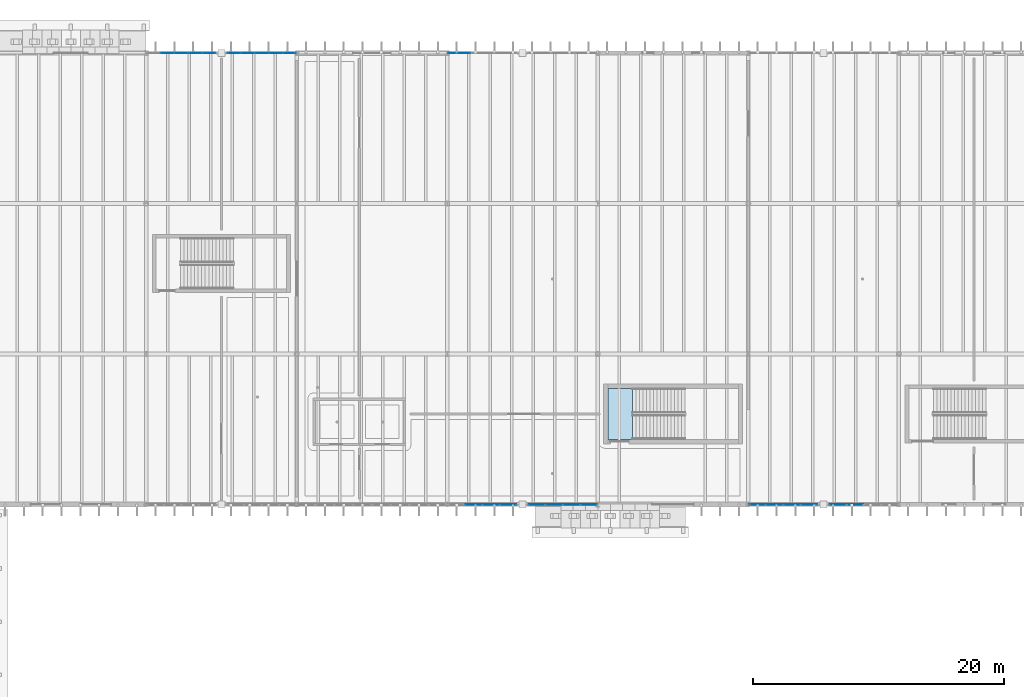
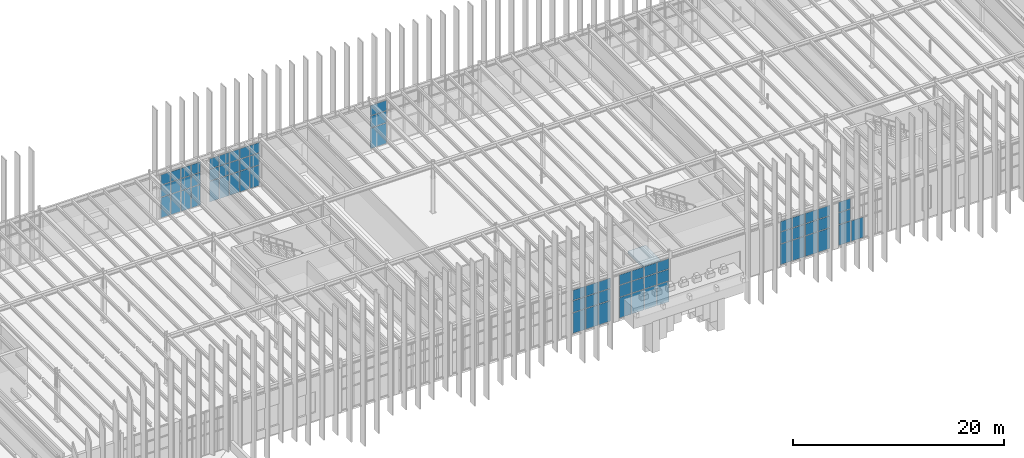
# One storey, part 39 of 83: 67 plates, 1 slab, 7 elements without a shape of their own.
"""IFC4 building model written with IfcOpenShell, lengths in metres."""

from ifc_helpers import new_model, si_unit, direction, frame, origin, origin_2d, place, context, subcontext, project, spatial, polyline, rectangle, outline, extrude, material, layer, layer_set, type_object, element, aggregate, save


model = new_model("IFC4")

# Units and contexts
model_context = context("Model", 3, precision=1e-05, world=origin(), true_north=direction((0.0, 1.0)))
body_context = subcontext(model_context, "Body", "Model", "MODEL_VIEW")
ifc_project = project(units=[si_unit("LENGTHUNIT", "METRE"), si_unit("AREAUNIT", "SQUARE_METRE"), si_unit("VOLUMEUNIT", "CUBIC_METRE"), si_unit("PLANEANGLEUNIT", "RADIAN"), si_unit("MASSUNIT", "GRAM", prefix="KILO")], contexts=[model_context])

# Site, building, storey
site_placement = place(None, origin())
site = spatial("IfcSite", under=ifc_project, at=site_placement, CompositionType="ELEMENT")
building_placement = place(site_placement, origin())
building = spatial("IfcBuilding", under=site, at=building_placement, Name="Zlatogorsky Bluff Art Gallery", CompositionType="ELEMENT")
storey_placement = place(building_placement, frame((0.0, 0.0, 10.800048828125)))
storey = spatial("IfcBuildingStorey", under=building, at=storey_placement, Name="L02", CompositionType="ELEMENT", Elevation=10.800048828125)

# Curtain wall, plates
ifc_material_1 = material(Name="Anodised Bronze Aluminium and Low-Iron Triple Glazing", Category="aluminium")
ifc_layer_1 = layer(ifc_material_1, 0.179931640625)
ifc_layer_set_1 = layer_set([ifc_layer_1], Name="Curtain Wall CW-03")
curtain_wall_type_1 = type_object("IfcCurtainWallType", Name="Curtain Wall CW-03", PredefinedType="USERDEFINED", material=ifc_layer_set_1)
curtain_wall_1_placement = place(storey_placement, origin())
curtain_wall_1 = element("IfcCurtainWall", 1, at=curtain_wall_1_placement, inside=storey, type_object=curtain_wall_type_1, Name="Unitised curtain wall CW-03 L02 N 3.10-A", ObjectType="CURTAIN WALL", PredefinedType="USERDEFINED")
ifc_material_2 = material(Name="Low-Iron Laminated Triple Glazing", Category="glass")
ifc_layer_2 = layer(ifc_material_2, 0.035888671875)
ifc_layer_set_2 = layer_set([ifc_layer_2], Name="Glazed Curtain Panel CWP-01")
plate_type = type_object("IfcPlateType", Name="Glazed Curtain Panel CWP-01", PredefinedType="CURTAIN_PANEL", material=ifc_layer_set_2)
plate_1_placement = place(storey_placement, frame((47.42578125, 120.0, 0.06494140625), z_axis=(0.0, 0.0, 1.0), x_axis=(-1.0, 0.0, 0.0)))
plate_1 = element("IfcPlate", 2, at=plate_1_placement, type_object=plate_type, Name="CW-03 panel 1.1", PredefinedType="CURTAIN_PANEL", context=body_context, shape_type="SweptSolid", body=[
    extrude(rectangle(XDim=1.0185546875, YDim=0.035888671875, at=origin_2d()), origin(), (0.0, 0.0, 1.0), 2.3525390625),
])
plate_2_placement = place(storey_placement, frame((47.42578125, 120.0, 2.482421875), z_axis=(0.0, 0.0, 1.0), x_axis=(-1.0, 0.0, 0.0)))
plate_2 = element("IfcPlate", 3, at=plate_2_placement, type_object=plate_type, Name="CW-03 panel 1.2", PredefinedType="CURTAIN_PANEL", context=body_context, shape_type="SweptSolid", body=[
    extrude(rectangle(XDim=1.0185546875, YDim=0.035888671875, at=origin_2d()), origin(), (0.0, 0.0, 1.0), 1.3349609375),
])
plate_3_placement = place(storey_placement, frame((47.42578125, 120.0, 3.88232421875), z_axis=(0.0, 0.0, 1.0), x_axis=(-1.0, 0.0, 0.0)))
plate_3 = element("IfcPlate", 4, at=plate_3_placement, type_object=plate_type, Name="CW-03 panel 1.3", PredefinedType="CURTAIN_PANEL", context=body_context, shape_type="SweptSolid", body=[
    extrude(rectangle(XDim=1.0185546875, YDim=0.035888671875, at=origin_2d()), origin(), (0.0, 0.0, 1.0), 1.16259765625),
])
plate_4_placement = place(storey_placement, frame((46.325927734375, 120.0, 0.06494140625), z_axis=(0.0, 0.0, 1.0), x_axis=(-1.0, 0.0, 0.0)))
plate_4 = element("IfcPlate", 5, at=plate_4_placement, type_object=plate_type, Name="CW-03 panel 2.1", PredefinedType="CURTAIN_PANEL", context=body_context, shape_type="SweptSolid", body=[
    extrude(rectangle(XDim=1.051025390625, YDim=0.035888671875, at=origin_2d()), origin(), (0.0, 0.0, 1.0), 2.3525390625),
])
plate_5_placement = place(storey_placement, frame((46.325927734375, 120.0, 2.482421875), z_axis=(0.0, 0.0, 1.0), x_axis=(-1.0, 0.0, 0.0)))
plate_5 = element("IfcPlate", 6, at=plate_5_placement, type_object=plate_type, Name="CW-03 panel 2.2", PredefinedType="CURTAIN_PANEL", context=body_context, shape_type="SweptSolid", body=[
    extrude(rectangle(XDim=1.051025390625, YDim=0.035888671875, at=origin_2d()), origin(), (0.0, 0.0, 1.0), 1.3349609375),
])
plate_6_placement = place(storey_placement, frame((46.325927734375, 120.0, 3.88232421875), z_axis=(0.0, 0.0, 1.0), x_axis=(-1.0, 0.0, 0.0)))
plate_6 = element("IfcPlate", 7, at=plate_6_placement, type_object=plate_type, Name="CW-03 panel 2.3", PredefinedType="CURTAIN_PANEL", context=body_context, shape_type="SweptSolid", body=[
    extrude(rectangle(XDim=1.051025390625, YDim=0.035888671875, at=origin_2d()), origin(), (0.0, 0.0, 1.0), 1.16259765625),
])
plate_7_placement = place(storey_placement, frame((45.2099609375, 120.0, 0.06494140625), z_axis=(0.0, 0.0, 1.0), x_axis=(-1.0, 0.0, 0.0)))
plate_7 = element("IfcPlate", 8, at=plate_7_placement, type_object=plate_type, Name="CW-03 panel 3.1", PredefinedType="CURTAIN_PANEL", context=body_context, shape_type="SweptSolid", body=[
    extrude(rectangle(XDim=1.051025390625, YDim=0.035888671875, at=origin_2d()), origin(), (0.0, 0.0, 1.0), 2.3525390625),
])
plate_8_placement = place(storey_placement, frame((45.2099609375, 120.0, 2.482421875), z_axis=(0.0, 0.0, 1.0), x_axis=(-1.0, 0.0, 0.0)))
plate_8 = element("IfcPlate", 9, at=plate_8_placement, type_object=plate_type, Name="CW-03 panel 3.2", PredefinedType="CURTAIN_PANEL", context=body_context, shape_type="SweptSolid", body=[
    extrude(rectangle(XDim=1.051025390625, YDim=0.035888671875, at=origin_2d()), origin(), (0.0, 0.0, 1.0), 1.3349609375),
])
plate_9_placement = place(storey_placement, frame((45.2099609375, 120.0, 3.88232421875), z_axis=(0.0, 0.0, 1.0), x_axis=(-1.0, 0.0, 0.0)))
plate_9 = element("IfcPlate", 10, at=plate_9_placement, type_object=plate_type, Name="CW-03 panel 3.3", PredefinedType="CURTAIN_PANEL", context=body_context, shape_type="SweptSolid", body=[
    extrude(rectangle(XDim=1.051025390625, YDim=0.035888671875, at=origin_2d()), origin(), (0.0, 0.0, 1.0), 1.16259765625),
])
plate_10_placement = place(storey_placement, frame((44.093994140625, 120.0, 0.06494140625), z_axis=(0.0, 0.0, 1.0), x_axis=(-1.0, 0.0, 0.0)))
plate_10 = element("IfcPlate", 11, at=plate_10_placement, type_object=plate_type, Name="CW-03 panel 4.1", PredefinedType="CURTAIN_PANEL", context=body_context, shape_type="SweptSolid", body=[
    extrude(rectangle(XDim=1.051025390625, YDim=0.035888671875, at=origin_2d()), origin(), (0.0, 0.0, 1.0), 2.3525390625),
])
plate_11_placement = place(storey_placement, frame((44.093994140625, 120.0, 2.482421875), z_axis=(0.0, 0.0, 1.0), x_axis=(-1.0, 0.0, 0.0)))
plate_11 = element("IfcPlate", 12, at=plate_11_placement, type_object=plate_type, Name="CW-03 panel 4.2", PredefinedType="CURTAIN_PANEL", context=body_context, shape_type="SweptSolid", body=[
    extrude(rectangle(XDim=1.051025390625, YDim=0.035888671875, at=origin_2d()), origin(), (0.0, 0.0, 1.0), 1.3349609375),
])
plate_12_placement = place(storey_placement, frame((44.093994140625, 120.0, 3.88232421875), z_axis=(0.0, 0.0, 1.0), x_axis=(-1.0, 0.0, 0.0)))
plate_12 = element("IfcPlate", 13, at=plate_12_placement, type_object=plate_type, Name="CW-03 panel 4.3", PredefinedType="CURTAIN_PANEL", context=body_context, shape_type="SweptSolid", body=[
    extrude(rectangle(XDim=1.051025390625, YDim=0.035888671875, at=origin_2d()), origin(), (0.0, 0.0, 1.0), 1.16259765625),
])
plate_13_placement = place(storey_placement, frame((42.994140625, 120.0, 0.06494140625), z_axis=(0.0, 0.0, 1.0), x_axis=(-1.0, 0.0, 0.0)))
plate_13 = element("IfcPlate", 14, at=plate_13_placement, type_object=plate_type, Name="CW-03 panel 5.1", PredefinedType="CURTAIN_PANEL", context=body_context, shape_type="SweptSolid", body=[
    extrude(rectangle(XDim=1.0185546875, YDim=0.035888671875, at=origin_2d()), origin(), (0.0, 0.0, 1.0), 2.3525390625),
])
plate_14_placement = place(storey_placement, frame((42.994140625, 120.0, 2.482421875), z_axis=(0.0, 0.0, 1.0), x_axis=(-1.0, 0.0, 0.0)))
plate_14 = element("IfcPlate", 15, at=plate_14_placement, type_object=plate_type, Name="CW-03 panel 5.2", PredefinedType="CURTAIN_PANEL", context=body_context, shape_type="SweptSolid", body=[
    extrude(rectangle(XDim=1.0185546875, YDim=0.035888671875, at=origin_2d()), origin(), (0.0, 0.0, 1.0), 1.3349609375),
])
plate_15_placement = place(storey_placement, frame((42.994140625, 120.0, 3.88232421875), z_axis=(0.0, 0.0, 1.0), x_axis=(-1.0, 0.0, 0.0)))
plate_15 = element("IfcPlate", 16, at=plate_15_placement, type_object=plate_type, Name="CW-03 panel 5.3", PredefinedType="CURTAIN_PANEL", context=body_context, shape_type="SweptSolid", body=[
    extrude(rectangle(XDim=1.0185546875, YDim=0.035888671875, at=origin_2d()), origin(), (0.0, 0.0, 1.0), 1.16259765625),
])
aggregate(curtain_wall_1, [plate_1, plate_2, plate_3, plate_4, plate_5, plate_6, plate_7, plate_8, plate_9, plate_10, plate_11, plate_12, plate_13, plate_14, plate_15])

curtain_wall_2_placement = place(storey_placement, origin())
curtain_wall_2 = element("IfcCurtainWall", 17, at=curtain_wall_2_placement, inside=storey, type_object=curtain_wall_type_1, Name="Unitised curtain wall CW-03 L02 N 3.10-B", ObjectType="CURTAIN WALL", PredefinedType="USERDEFINED")
plate_16_placement = place(storey_placement, frame((41.005859375, 120.0, 0.06494140625), z_axis=(0.0, 0.0, 1.0), x_axis=(-1.0, 0.0, 0.0)))
plate_16 = element("IfcPlate", 18, at=plate_16_placement, type_object=plate_type, Name="CW-03 panel 1.1", PredefinedType="CURTAIN_PANEL", context=body_context, shape_type="SweptSolid", body=[
    extrude(rectangle(XDim=1.0185546875, YDim=0.035888671875, at=origin_2d()), origin(), (0.0, 0.0, 1.0), 2.3525390625),
])
plate_17_placement = place(storey_placement, frame((41.005859375, 120.0, 2.482421875), z_axis=(0.0, 0.0, 1.0), x_axis=(-1.0, 0.0, 0.0)))
plate_17 = element("IfcPlate", 19, at=plate_17_placement, type_object=plate_type, Name="CW-03 panel 1.2", PredefinedType="CURTAIN_PANEL", context=body_context, shape_type="SweptSolid", body=[
    extrude(rectangle(XDim=1.0185546875, YDim=0.035888671875, at=origin_2d()), origin(), (0.0, 0.0, 1.0), 1.3349609375),
])
plate_18_placement = place(storey_placement, frame((41.005859375, 120.0, 3.88232421875), z_axis=(0.0, 0.0, 1.0), x_axis=(-1.0, 0.0, 0.0)))
plate_18 = element("IfcPlate", 20, at=plate_18_placement, type_object=plate_type, Name="CW-03 panel 1.3", PredefinedType="CURTAIN_PANEL", context=body_context, shape_type="SweptSolid", body=[
    extrude(rectangle(XDim=1.0185546875, YDim=0.035888671875, at=origin_2d()), origin(), (0.0, 0.0, 1.0), 1.16259765625),
])
plate_19_placement = place(storey_placement, frame((39.906005859375, 120.0, 0.06494140625), z_axis=(0.0, 0.0, 1.0), x_axis=(-1.0, 0.0, 0.0)))
plate_19 = element("IfcPlate", 21, at=plate_19_placement, type_object=plate_type, Name="CW-03 panel 2.1", PredefinedType="CURTAIN_PANEL", context=body_context, shape_type="SweptSolid", body=[
    extrude(rectangle(XDim=1.051025390625, YDim=0.035888671875, at=origin_2d()), origin(), (0.0, 0.0, 1.0), 2.3525390625),
])
plate_20_placement = place(storey_placement, frame((39.906005859375, 120.0, 2.482421875), z_axis=(0.0, 0.0, 1.0), x_axis=(-1.0, 0.0, 0.0)))
plate_20 = element("IfcPlate", 22, at=plate_20_placement, type_object=plate_type, Name="CW-03 panel 2.2", PredefinedType="CURTAIN_PANEL", context=body_context, shape_type="SweptSolid", body=[
    extrude(rectangle(XDim=1.051025390625, YDim=0.035888671875, at=origin_2d()), origin(), (0.0, 0.0, 1.0), 1.3349609375),
])
plate_21_placement = place(storey_placement, frame((39.906005859375, 120.0, 3.88232421875), z_axis=(0.0, 0.0, 1.0), x_axis=(-1.0, 0.0, 0.0)))
plate_21 = element("IfcPlate", 23, at=plate_21_placement, type_object=plate_type, Name="CW-03 panel 2.3", PredefinedType="CURTAIN_PANEL", context=body_context, shape_type="SweptSolid", body=[
    extrude(rectangle(XDim=1.051025390625, YDim=0.035888671875, at=origin_2d()), origin(), (0.0, 0.0, 1.0), 1.16259765625),
])
plate_22_placement = place(storey_placement, frame((38.7900390625, 120.0, 0.06494140625), z_axis=(0.0, 0.0, 1.0), x_axis=(-1.0, 0.0, 0.0)))
plate_22 = element("IfcPlate", 24, at=plate_22_placement, type_object=plate_type, Name="CW-03 panel 3.1", PredefinedType="CURTAIN_PANEL", context=body_context, shape_type="SweptSolid", body=[
    extrude(rectangle(XDim=1.051025390625, YDim=0.035888671875, at=origin_2d()), origin(), (0.0, 0.0, 1.0), 2.3525390625),
])
plate_23_placement = place(storey_placement, frame((38.7900390625, 120.0, 2.482421875), z_axis=(0.0, 0.0, 1.0), x_axis=(-1.0, 0.0, 0.0)))
plate_23 = element("IfcPlate", 25, at=plate_23_placement, type_object=plate_type, Name="CW-03 panel 3.2", PredefinedType="CURTAIN_PANEL", context=body_context, shape_type="SweptSolid", body=[
    extrude(rectangle(XDim=1.051025390625, YDim=0.035888671875, at=origin_2d()), origin(), (0.0, 0.0, 1.0), 1.3349609375),
])
plate_24_placement = place(storey_placement, frame((38.7900390625, 120.0, 3.88232421875), z_axis=(0.0, 0.0, 1.0), x_axis=(-1.0, 0.0, 0.0)))
plate_24 = element("IfcPlate", 26, at=plate_24_placement, type_object=plate_type, Name="CW-03 panel 3.3", PredefinedType="CURTAIN_PANEL", context=body_context, shape_type="SweptSolid", body=[
    extrude(rectangle(XDim=1.051025390625, YDim=0.035888671875, at=origin_2d()), origin(), (0.0, 0.0, 1.0), 1.16259765625),
])
plate_25_placement = place(storey_placement, frame((37.674072265625, 120.0, 0.06494140625), z_axis=(0.0, 0.0, 1.0), x_axis=(-1.0, 0.0, 0.0)))
plate_25 = element("IfcPlate", 27, at=plate_25_placement, type_object=plate_type, Name="CW-03 panel 4.1", PredefinedType="CURTAIN_PANEL", context=body_context, shape_type="SweptSolid", body=[
    extrude(rectangle(XDim=1.051025390625, YDim=0.035888671875, at=origin_2d()), origin(), (0.0, 0.0, 1.0), 2.3525390625),
])
plate_26_placement = place(storey_placement, frame((37.674072265625, 120.0, 2.482421875), z_axis=(0.0, 0.0, 1.0), x_axis=(-1.0, 0.0, 0.0)))
plate_26 = element("IfcPlate", 28, at=plate_26_placement, type_object=plate_type, Name="CW-03 panel 4.2", PredefinedType="CURTAIN_PANEL", context=body_context, shape_type="SweptSolid", body=[
    extrude(rectangle(XDim=1.051025390625, YDim=0.035888671875, at=origin_2d()), origin(), (0.0, 0.0, 1.0), 1.3349609375),
])
plate_27_placement = place(storey_placement, frame((37.674072265625, 120.0, 3.88232421875), z_axis=(0.0, 0.0, 1.0), x_axis=(-1.0, 0.0, 0.0)))
plate_27 = element("IfcPlate", 29, at=plate_27_placement, type_object=plate_type, Name="CW-03 panel 4.3", PredefinedType="CURTAIN_PANEL", context=body_context, shape_type="SweptSolid", body=[
    extrude(rectangle(XDim=1.051025390625, YDim=0.035888671875, at=origin_2d()), origin(), (0.0, 0.0, 1.0), 1.16259765625),
])
aggregate(curtain_wall_2, [plate_16, plate_17, plate_18, plate_19, plate_20, plate_21, plate_22, plate_23, plate_24, plate_25, plate_26, plate_27])

ifc_layer_3 = layer(ifc_material_1, 0.199951171875)
ifc_layer_set_3 = layer_set([ifc_layer_3], Name="Curtain Wall CW-02")
curtain_wall_type_2 = type_object("IfcCurtainWallType", Name="Curtain Wall CW-02", PredefinedType="USERDEFINED", material=ifc_layer_set_3)
curtain_wall_3_placement = place(storey_placement, origin())
curtain_wall_3 = element("IfcCurtainWall", 30, at=curtain_wall_3_placement, inside=storey, type_object=curtain_wall_type_2, Name="Unitised curtain wall CW-02 L02 S 5.8-A", ObjectType="CURTAIN WALL", PredefinedType="USERDEFINED")
plate_28_placement = place(storey_placement, frame((62.092529296875, 84.0, 0.06494140625), z_axis=(0.0, 0.0, 1.0), x_axis=(1.0, 0.0, 0.0)))
plate_28 = element("IfcPlate", 31, at=plate_28_placement, type_object=plate_type, Name="CW-02 panel 2.1", PredefinedType="CURTAIN_PANEL", context=body_context, shape_type="SweptSolid", body=[
    extrude(rectangle(XDim=1.330078125, YDim=0.035888671875, at=origin_2d()), origin(), (0.0, 0.0, 1.0), 2.3525390625),
])
plate_29_placement = place(storey_placement, frame((62.092529296875, 84.0, 2.482421875), z_axis=(0.0, 0.0, 1.0), x_axis=(1.0, 0.0, 0.0)))
plate_29 = element("IfcPlate", 32, at=plate_29_placement, type_object=plate_type, Name="CW-02 panel 2.2", PredefinedType="CURTAIN_PANEL", context=body_context, shape_type="SweptSolid", body=[
    extrude(rectangle(XDim=1.330078125, YDim=0.035888671875, at=origin_2d()), origin(), (0.0, 0.0, 1.0), 1.3349609375),
])
plate_30_placement = place(storey_placement, frame((62.092529296875, 84.0, 3.88232421875), z_axis=(0.0, 0.0, 1.0), x_axis=(1.0, 0.0, 0.0)))
plate_30 = element("IfcPlate", 33, at=plate_30_placement, type_object=plate_type, Name="CW-02 panel 2.3", PredefinedType="CURTAIN_PANEL", context=body_context, shape_type="SweptSolid", body=[
    extrude(rectangle(XDim=1.330078125, YDim=0.035888671875, at=origin_2d()), origin(), (0.0, 0.0, 1.0), 1.16259765625),
])
plate_31_placement = place(storey_placement, frame((63.487548828125, 84.0, 0.06494140625), z_axis=(0.0, 0.0, 1.0), x_axis=(1.0, 0.0, 0.0)))
plate_31 = element("IfcPlate", 34, at=plate_31_placement, type_object=plate_type, Name="CW-02 panel 3.1", PredefinedType="CURTAIN_PANEL", context=body_context, shape_type="SweptSolid", body=[
    extrude(rectangle(XDim=1.330078125, YDim=0.035888671875, at=origin_2d()), origin(), (0.0, 0.0, 1.0), 2.3525390625),
])
plate_32_placement = place(storey_placement, frame((63.487548828125, 84.0, 2.482421875), z_axis=(0.0, 0.0, 1.0), x_axis=(1.0, 0.0, 0.0)))
plate_32 = element("IfcPlate", 35, at=plate_32_placement, type_object=plate_type, Name="CW-02 panel 3.2", PredefinedType="CURTAIN_PANEL", context=body_context, shape_type="SweptSolid", body=[
    extrude(rectangle(XDim=1.330078125, YDim=0.035888671875, at=origin_2d()), origin(), (0.0, 0.0, 1.0), 1.3349609375),
])
plate_33_placement = place(storey_placement, frame((63.487548828125, 84.0, 3.88232421875), z_axis=(0.0, 0.0, 1.0), x_axis=(1.0, 0.0, 0.0)))
plate_33 = element("IfcPlate", 36, at=plate_33_placement, type_object=plate_type, Name="CW-02 panel 3.3", PredefinedType="CURTAIN_PANEL", context=body_context, shape_type="SweptSolid", body=[
    extrude(rectangle(XDim=1.330078125, YDim=0.035888671875, at=origin_2d()), origin(), (0.0, 0.0, 1.0), 1.16259765625),
])
plate_34_placement = place(storey_placement, frame((64.8662109375, 84.0, 0.06494140625), z_axis=(0.0, 0.0, 1.0), x_axis=(1.0, 0.0, 0.0)))
plate_34 = element("IfcPlate", 37, at=plate_34_placement, type_object=plate_type, Name="CW-02 panel 4.1", PredefinedType="CURTAIN_PANEL", context=body_context, shape_type="SweptSolid", body=[
    extrude(rectangle(XDim=1.297607421875, YDim=0.035888671875, at=origin_2d()), origin(), (0.0, 0.0, 1.0), 2.3525390625),
])
plate_35_placement = place(storey_placement, frame((64.8662109375, 84.0, 2.482421875), z_axis=(0.0, 0.0, 1.0), x_axis=(1.0, 0.0, 0.0)))
plate_35 = element("IfcPlate", 38, at=plate_35_placement, type_object=plate_type, Name="CW-02 panel 4.2", PredefinedType="CURTAIN_PANEL", context=body_context, shape_type="SweptSolid", body=[
    extrude(rectangle(XDim=1.297607421875, YDim=0.035888671875, at=origin_2d()), origin(), (0.0, 0.0, 1.0), 1.3349609375),
])
plate_36_placement = place(storey_placement, frame((64.8662109375, 84.0, 3.88232421875), z_axis=(0.0, 0.0, 1.0), x_axis=(1.0, 0.0, 0.0)))
plate_36 = element("IfcPlate", 39, at=plate_36_placement, type_object=plate_type, Name="CW-02 panel 4.3", PredefinedType="CURTAIN_PANEL", context=body_context, shape_type="SweptSolid", body=[
    extrude(rectangle(XDim=1.297607421875, YDim=0.035888671875, at=origin_2d()), origin(), (0.0, 0.0, 1.0), 1.16259765625),
])
aggregate(curtain_wall_3, [plate_28, plate_29, plate_30, plate_31, plate_32, plate_33, plate_34, plate_35, plate_36])

curtain_wall_4_placement = place(storey_placement, origin())
curtain_wall_4 = element("IfcCurtainWall", 40, at=curtain_wall_4_placement, inside=storey, type_object=curtain_wall_type_2, Name="Unitised curtain wall CW-02 L02 S 5.8-B", ObjectType="CURTAIN WALL", PredefinedType="USERDEFINED")
plate_37_placement = place(storey_placement, frame((67.1337890625, 84.0, 0.06494140625), z_axis=(0.0, 0.0, 1.0), x_axis=(1.0, 0.0, 0.0)))
plate_37 = element("IfcPlate", 41, at=plate_37_placement, type_object=plate_type, Name="CW-02 panel 1.1", PredefinedType="CURTAIN_PANEL", context=body_context, shape_type="SweptSolid", body=[
    extrude(rectangle(XDim=1.297607421875, YDim=0.035888671875, at=origin_2d()), origin(), (0.0, 0.0, 1.0), 2.3525390625),
])
plate_38_placement = place(storey_placement, frame((67.1337890625, 84.0, 2.482421875), z_axis=(0.0, 0.0, 1.0), x_axis=(1.0, 0.0, 0.0)))
plate_38 = element("IfcPlate", 42, at=plate_38_placement, type_object=plate_type, Name="CW-02 panel 1.2", PredefinedType="CURTAIN_PANEL", context=body_context, shape_type="SweptSolid", body=[
    extrude(rectangle(XDim=1.297607421875, YDim=0.035888671875, at=origin_2d()), origin(), (0.0, 0.0, 1.0), 1.3349609375),
])
plate_39_placement = place(storey_placement, frame((67.1337890625, 84.0, 3.88232421875), z_axis=(0.0, 0.0, 1.0), x_axis=(1.0, 0.0, 0.0)))
plate_39 = element("IfcPlate", 43, at=plate_39_placement, type_object=plate_type, Name="CW-02 panel 1.3", PredefinedType="CURTAIN_PANEL", context=body_context, shape_type="SweptSolid", body=[
    extrude(rectangle(XDim=1.297607421875, YDim=0.035888671875, at=origin_2d()), origin(), (0.0, 0.0, 1.0), 1.16259765625),
])
plate_40_placement = place(storey_placement, frame((68.512451171875, 84.0, 0.06494140625), z_axis=(0.0, 0.0, 1.0), x_axis=(1.0, 0.0, 0.0)))
plate_40 = element("IfcPlate", 44, at=plate_40_placement, type_object=plate_type, Name="CW-02 panel 2.1", PredefinedType="CURTAIN_PANEL", context=body_context, shape_type="SweptSolid", body=[
    extrude(rectangle(XDim=1.330078125, YDim=0.035888671875, at=origin_2d()), origin(), (0.0, 0.0, 1.0), 2.3525390625),
])
plate_41_placement = place(storey_placement, frame((68.512451171875, 84.0, 2.482421875), z_axis=(0.0, 0.0, 1.0), x_axis=(1.0, 0.0, 0.0)))
plate_41 = element("IfcPlate", 45, at=plate_41_placement, type_object=plate_type, Name="CW-02 panel 2.2", PredefinedType="CURTAIN_PANEL", context=body_context, shape_type="SweptSolid", body=[
    extrude(rectangle(XDim=1.330078125, YDim=0.035888671875, at=origin_2d()), origin(), (0.0, 0.0, 1.0), 1.3349609375),
])
plate_42_placement = place(storey_placement, frame((68.512451171875, 84.0, 3.88232421875), z_axis=(0.0, 0.0, 1.0), x_axis=(1.0, 0.0, 0.0)))
plate_42 = element("IfcPlate", 46, at=plate_42_placement, type_object=plate_type, Name="CW-02 panel 2.3", PredefinedType="CURTAIN_PANEL", context=body_context, shape_type="SweptSolid", body=[
    extrude(rectangle(XDim=1.330078125, YDim=0.035888671875, at=origin_2d()), origin(), (0.0, 0.0, 1.0), 1.16259765625),
])
plate_43_placement = place(storey_placement, frame((69.907470703125, 84.0, 0.06494140625), z_axis=(0.0, 0.0, 1.0), x_axis=(1.0, 0.0, 0.0)))
plate_43 = element("IfcPlate", 47, at=plate_43_placement, type_object=plate_type, Name="CW-02 panel 3.1", PredefinedType="CURTAIN_PANEL", context=body_context, shape_type="SweptSolid", body=[
    extrude(rectangle(XDim=1.330078125, YDim=0.035888671875, at=origin_2d()), origin(), (0.0, 0.0, 1.0), 2.3525390625),
])
plate_44_placement = place(storey_placement, frame((69.907470703125, 84.0, 2.482421875), z_axis=(0.0, 0.0, 1.0), x_axis=(1.0, 0.0, 0.0)))
plate_44 = element("IfcPlate", 48, at=plate_44_placement, type_object=plate_type, Name="CW-02 panel 3.2", PredefinedType="CURTAIN_PANEL", context=body_context, shape_type="SweptSolid", body=[
    extrude(rectangle(XDim=1.330078125, YDim=0.035888671875, at=origin_2d()), origin(), (0.0, 0.0, 1.0), 1.3349609375),
])
plate_45_placement = place(storey_placement, frame((69.907470703125, 84.0, 3.88232421875), z_axis=(0.0, 0.0, 1.0), x_axis=(1.0, 0.0, 0.0)))
plate_45 = element("IfcPlate", 49, at=plate_45_placement, type_object=plate_type, Name="CW-02 panel 3.3", PredefinedType="CURTAIN_PANEL", context=body_context, shape_type="SweptSolid", body=[
    extrude(rectangle(XDim=1.330078125, YDim=0.035888671875, at=origin_2d()), origin(), (0.0, 0.0, 1.0), 1.16259765625),
])
plate_46_placement = place(storey_placement, frame((71.2861328125, 84.0, 0.06494140625), z_axis=(0.0, 0.0, 1.0), x_axis=(1.0, 0.0, 0.0)))
plate_46 = element("IfcPlate", 50, at=plate_46_placement, type_object=plate_type, Name="CW-02 panel 4.1", PredefinedType="CURTAIN_PANEL", context=body_context, shape_type="SweptSolid", body=[
    extrude(rectangle(XDim=1.297607421875, YDim=0.035888671875, at=origin_2d()), origin(), (0.0, 0.0, 1.0), 2.3525390625),
])
plate_47_placement = place(storey_placement, frame((71.2861328125, 84.0, 2.482421875), z_axis=(0.0, 0.0, 1.0), x_axis=(1.0, 0.0, 0.0)))
plate_47 = element("IfcPlate", 51, at=plate_47_placement, type_object=plate_type, Name="CW-02 panel 4.2", PredefinedType="CURTAIN_PANEL", context=body_context, shape_type="SweptSolid", body=[
    extrude(rectangle(XDim=1.297607421875, YDim=0.035888671875, at=origin_2d()), origin(), (0.0, 0.0, 1.0), 1.3349609375),
])
plate_48_placement = place(storey_placement, frame((71.2861328125, 84.0, 3.88232421875), z_axis=(0.0, 0.0, 1.0), x_axis=(1.0, 0.0, 0.0)))
plate_48 = element("IfcPlate", 52, at=plate_48_placement, type_object=plate_type, Name="CW-02 panel 4.3", PredefinedType="CURTAIN_PANEL", context=body_context, shape_type="SweptSolid", body=[
    extrude(rectangle(XDim=1.297607421875, YDim=0.035888671875, at=origin_2d()), origin(), (0.0, 0.0, 1.0), 1.16259765625),
])
aggregate(curtain_wall_4, [plate_37, plate_38, plate_39, plate_40, plate_41, plate_42, plate_43, plate_44, plate_45, plate_46, plate_47, plate_48])

ifc_layer_4 = layer(ifc_material_1, 0.219970703125)
ifc_layer_set_4 = layer_set([ifc_layer_4], Name="Curtain Wall CW-04")
curtain_wall_type_3 = type_object("IfcCurtainWallType", Name="Curtain Wall CW-04", PredefinedType="USERDEFINED", material=ifc_layer_set_4)
curtain_wall_5_placement = place(storey_placement, origin())
curtain_wall_5 = element("IfcCurtainWall", 53, at=curtain_wall_5_placement, inside=storey, type_object=curtain_wall_type_3, Name="Unitised curtain wall CW-04 L02 N 5.10-B", ObjectType="CURTAIN WALL", PredefinedType="USERDEFINED")
plate_49_placement = place(storey_placement, frame((60.9462890625, 120.0, 0.06494140625), z_axis=(0.0, 0.0, 1.0), x_axis=(-1.0, 0.0, 0.0)))
plate_49 = element("IfcPlate", 54, at=plate_49_placement, type_object=plate_type, Name="CW-04 panel 3.1", PredefinedType="CURTAIN_PANEL", context=body_context, shape_type="SweptSolid", body=[
    extrude(rectangle(XDim=1.762451171875, YDim=0.035888671875, at=origin_2d()), origin(), (0.0, 0.0, 1.0), 2.3525390625),
])
plate_50_placement = place(storey_placement, frame((60.9462890625, 120.0, 2.482421875), z_axis=(0.0, 0.0, 1.0), x_axis=(-1.0, 0.0, 0.0)))
plate_50 = element("IfcPlate", 55, at=plate_50_placement, type_object=plate_type, Name="CW-04 panel 3.2", PredefinedType="CURTAIN_PANEL", context=body_context, shape_type="SweptSolid", body=[
    extrude(rectangle(XDim=1.762451171875, YDim=0.035888671875, at=origin_2d()), origin(), (0.0, 0.0, 1.0), 1.3349609375),
])
plate_51_placement = place(storey_placement, frame((60.9462890625, 120.0, 3.88232421875), z_axis=(0.0, 0.0, 1.0), x_axis=(-1.0, 0.0, 0.0)))
plate_51 = element("IfcPlate", 56, at=plate_51_placement, type_object=plate_type, Name="CW-04 panel 3.3", PredefinedType="CURTAIN_PANEL", context=body_context, shape_type="SweptSolid", body=[
    extrude(rectangle(XDim=1.762451171875, YDim=0.035888671875, at=origin_2d()), origin(), (0.0, 0.0, 1.0), 1.16259765625),
])
aggregate(curtain_wall_5, [plate_49, plate_50, plate_51])

curtain_wall_6_placement = place(storey_placement, origin())
curtain_wall_6 = element("IfcCurtainWall", 57, at=curtain_wall_6_placement, inside=storey, type_object=curtain_wall_type_2, Name="Unitised curtain wall CW-02 L02 S 7.8-A", ObjectType="CURTAIN WALL", PredefinedType="USERDEFINED")
plate_52_placement = place(storey_placement, frame((84.7138671875, 84.0, 0.06494140625), z_axis=(0.0, 0.0, 1.0), x_axis=(1.0, 0.0, 0.0)))
plate_52 = element("IfcPlate", 58, at=plate_52_placement, type_object=plate_type, Name="CW-02 panel 1.1", PredefinedType="CURTAIN_PANEL", context=body_context, shape_type="SweptSolid", body=[
    extrude(rectangle(XDim=1.297607421875, YDim=0.035888671875, at=origin_2d()), origin(), (0.0, 0.0, 1.0), 2.3525390625),
])
plate_53_placement = place(storey_placement, frame((84.7138671875, 84.0, 2.482421875), z_axis=(0.0, 0.0, 1.0), x_axis=(1.0, 0.0, 0.0)))
plate_53 = element("IfcPlate", 59, at=plate_53_placement, type_object=plate_type, Name="CW-02 panel 1.2", PredefinedType="CURTAIN_PANEL", context=body_context, shape_type="SweptSolid", body=[
    extrude(rectangle(XDim=1.297607421875, YDim=0.035888671875, at=origin_2d()), origin(), (0.0, 0.0, 1.0), 1.3349609375),
])
plate_54_placement = place(storey_placement, frame((84.7138671875, 84.0, 3.88232421875), z_axis=(0.0, 0.0, 1.0), x_axis=(1.0, 0.0, 0.0)))
plate_54 = element("IfcPlate", 60, at=plate_54_placement, type_object=plate_type, Name="CW-02 panel 1.3", PredefinedType="CURTAIN_PANEL", context=body_context, shape_type="SweptSolid", body=[
    extrude(rectangle(XDim=1.297607421875, YDim=0.035888671875, at=origin_2d()), origin(), (0.0, 0.0, 1.0), 1.16259765625),
])
plate_55_placement = place(storey_placement, frame((86.092529296875, 84.0, 0.06494140625), z_axis=(0.0, 0.0, 1.0), x_axis=(1.0, 0.0, 0.0)))
plate_55 = element("IfcPlate", 61, at=plate_55_placement, type_object=plate_type, Name="CW-02 panel 2.1", PredefinedType="CURTAIN_PANEL", context=body_context, shape_type="SweptSolid", body=[
    extrude(rectangle(XDim=1.330078125, YDim=0.035888671875, at=origin_2d()), origin(), (0.0, 0.0, 1.0), 2.3525390625),
])
plate_56_placement = place(storey_placement, frame((86.092529296875, 84.0, 2.482421875), z_axis=(0.0, 0.0, 1.0), x_axis=(1.0, 0.0, 0.0)))
plate_56 = element("IfcPlate", 62, at=plate_56_placement, type_object=plate_type, Name="CW-02 panel 2.2", PredefinedType="CURTAIN_PANEL", context=body_context, shape_type="SweptSolid", body=[
    extrude(rectangle(XDim=1.330078125, YDim=0.035888671875, at=origin_2d()), origin(), (0.0, 0.0, 1.0), 1.3349609375),
])
plate_57_placement = place(storey_placement, frame((86.092529296875, 84.0, 3.88232421875), z_axis=(0.0, 0.0, 1.0), x_axis=(1.0, 0.0, 0.0)))
plate_57 = element("IfcPlate", 63, at=plate_57_placement, type_object=plate_type, Name="CW-02 panel 2.3", PredefinedType="CURTAIN_PANEL", context=body_context, shape_type="SweptSolid", body=[
    extrude(rectangle(XDim=1.330078125, YDim=0.035888671875, at=origin_2d()), origin(), (0.0, 0.0, 1.0), 1.16259765625),
])
plate_58_placement = place(storey_placement, frame((87.487548828125, 84.0, 0.06494140625), z_axis=(0.0, 0.0, 1.0), x_axis=(1.0, 0.0, 0.0)))
plate_58 = element("IfcPlate", 64, at=plate_58_placement, type_object=plate_type, Name="CW-02 panel 3.1", PredefinedType="CURTAIN_PANEL", context=body_context, shape_type="SweptSolid", body=[
    extrude(rectangle(XDim=1.330078125, YDim=0.035888671875, at=origin_2d()), origin(), (0.0, 0.0, 1.0), 2.3525390625),
])
plate_59_placement = place(storey_placement, frame((87.487548828125, 84.0, 2.482421875), z_axis=(0.0, 0.0, 1.0), x_axis=(1.0, 0.0, 0.0)))
plate_59 = element("IfcPlate", 65, at=plate_59_placement, type_object=plate_type, Name="CW-02 panel 3.2", PredefinedType="CURTAIN_PANEL", context=body_context, shape_type="SweptSolid", body=[
    extrude(rectangle(XDim=1.330078125, YDim=0.035888671875, at=origin_2d()), origin(), (0.0, 0.0, 1.0), 1.3349609375),
])
plate_60_placement = place(storey_placement, frame((87.487548828125, 84.0, 3.88232421875), z_axis=(0.0, 0.0, 1.0), x_axis=(1.0, 0.0, 0.0)))
plate_60 = element("IfcPlate", 66, at=plate_60_placement, type_object=plate_type, Name="CW-02 panel 3.3", PredefinedType="CURTAIN_PANEL", context=body_context, shape_type="SweptSolid", body=[
    extrude(rectangle(XDim=1.330078125, YDim=0.035888671875, at=origin_2d()), origin(), (0.0, 0.0, 1.0), 1.16259765625),
])
plate_61_placement = place(storey_placement, frame((88.8662109375, 84.0, 0.06494140625), z_axis=(0.0, 0.0, 1.0), x_axis=(1.0, 0.0, 0.0)))
plate_61 = element("IfcPlate", 67, at=plate_61_placement, type_object=plate_type, Name="CW-02 panel 4.1", PredefinedType="CURTAIN_PANEL", context=body_context, shape_type="SweptSolid", body=[
    extrude(rectangle(XDim=1.297607421875, YDim=0.035888671875, at=origin_2d()), origin(), (0.0, 0.0, 1.0), 2.3525390625),
])
plate_62_placement = place(storey_placement, frame((88.8662109375, 84.0, 2.482421875), z_axis=(0.0, 0.0, 1.0), x_axis=(1.0, 0.0, 0.0)))
plate_62 = element("IfcPlate", 68, at=plate_62_placement, type_object=plate_type, Name="CW-02 panel 4.2", PredefinedType="CURTAIN_PANEL", context=body_context, shape_type="SweptSolid", body=[
    extrude(rectangle(XDim=1.297607421875, YDim=0.035888671875, at=origin_2d()), origin(), (0.0, 0.0, 1.0), 1.3349609375),
])
plate_63_placement = place(storey_placement, frame((88.8662109375, 84.0, 3.88232421875), z_axis=(0.0, 0.0, 1.0), x_axis=(1.0, 0.0, 0.0)))
plate_63 = element("IfcPlate", 69, at=plate_63_placement, type_object=plate_type, Name="CW-02 panel 4.3", PredefinedType="CURTAIN_PANEL", context=body_context, shape_type="SweptSolid", body=[
    extrude(rectangle(XDim=1.297607421875, YDim=0.035888671875, at=origin_2d()), origin(), (0.0, 0.0, 1.0), 1.16259765625),
])
aggregate(curtain_wall_6, [plate_52, plate_53, plate_54, plate_55, plate_56, plate_57, plate_58, plate_59, plate_60, plate_61, plate_62, plate_63])

curtain_wall_7_placement = place(storey_placement, origin())
curtain_wall_7 = element("IfcCurtainWall", 70, at=curtain_wall_7_placement, inside=storey, type_object=curtain_wall_type_2, Name="Unitised curtain wall CW-02 L02 S 7.8-B", ObjectType="CURTAIN WALL", PredefinedType="USERDEFINED")
plate_64_placement = place(storey_placement, frame((91.1337890625, 84.0, 0.06494140625), z_axis=(0.0, 0.0, 1.0), x_axis=(1.0, 0.0, 0.0)))
plate_64 = element("IfcPlate", 71, at=plate_64_placement, type_object=plate_type, Name="CW-02 panel 1.1", PredefinedType="CURTAIN_PANEL", context=body_context, shape_type="SweptSolid", body=[
    extrude(rectangle(XDim=1.297607421875, YDim=0.035888671875, at=origin_2d()), origin(), (0.0, 0.0, 1.0), 2.3525390625),
])
plate_65_placement = place(storey_placement, frame((91.1337890625, 84.0, 2.482421875), z_axis=(0.0, 0.0, 1.0), x_axis=(1.0, 0.0, 0.0)))
plate_65 = element("IfcPlate", 72, at=plate_65_placement, type_object=plate_type, Name="CW-02 panel 1.2", PredefinedType="CURTAIN_PANEL", context=body_context, shape_type="SweptSolid", body=[
    extrude(rectangle(XDim=1.297607421875, YDim=0.035888671875, at=origin_2d()), origin(), (0.0, 0.0, 1.0), 1.3349609375),
])
plate_66_placement = place(storey_placement, frame((91.1337890625, 84.0, 3.88232421875), z_axis=(0.0, 0.0, 1.0), x_axis=(1.0, 0.0, 0.0)))
plate_66 = element("IfcPlate", 73, at=plate_66_placement, type_object=plate_type, Name="CW-02 panel 1.3", PredefinedType="CURTAIN_PANEL", context=body_context, shape_type="SweptSolid", body=[
    extrude(rectangle(XDim=1.297607421875, YDim=0.035888671875, at=origin_2d()), origin(), (0.0, 0.0, 1.0), 1.16259765625),
])
plate_67_placement = place(storey_placement, frame((92.512451171875, 84.0, 0.06494140625), z_axis=(0.0, 0.0, 1.0), x_axis=(1.0, 0.0, 0.0)))
plate_67 = element("IfcPlate", 74, at=plate_67_placement, type_object=plate_type, Name="CW-02 panel 2.1", PredefinedType="CURTAIN_PANEL", context=body_context, shape_type="SweptSolid", body=[
    extrude(rectangle(XDim=1.330078125, YDim=0.035888671875, at=origin_2d()), origin(), (0.0, 0.0, 1.0), 2.3525390625),
])
aggregate(curtain_wall_7, [plate_64, plate_65, plate_66, plate_67])

# Slab
ifc_material_3 = material(Name="Concrete C30/37", Category="concrete")
ifc_layer_5 = layer(ifc_material_3, 0.2900390625)
ifc_layer_set_5 = layer_set([ifc_layer_5], Name="Slab SL-02 290mm")
slab_type = type_object("IfcSlabType", Name="Slab SL-02 290mm", PredefinedType="FLOOR", material=ifc_layer_set_5)
slab_placement = place(storey_placement, frame((0.0, 0.0, -0.2900390625)))
element("IfcSlab", 75, at=slab_placement, inside=storey, type_object=slab_type, Name="L02 stair ST-08 structural floor landing slab", PredefinedType="FLOOR", context=body_context, shape_type="SweptSolid", body=[
    extrude(outline(polyline([(72.800048828125, 89.199951171875), (74.75, 89.199951171875), (74.75, 93.25), (72.800048828125, 93.25), (72.800048828125, 89.199951171875)])), origin(), (0.0, 0.0, 1.0), 0.2900390625),
])

save(model, "model.ifc")
